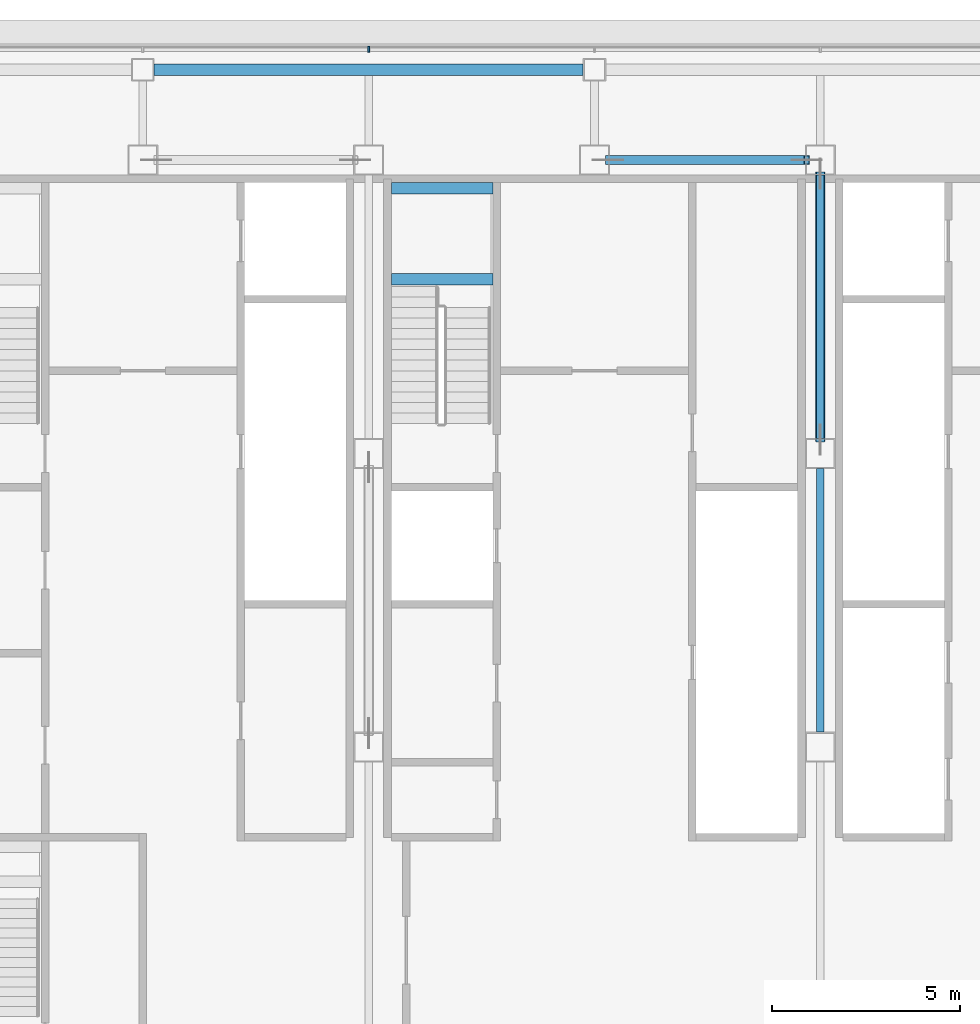
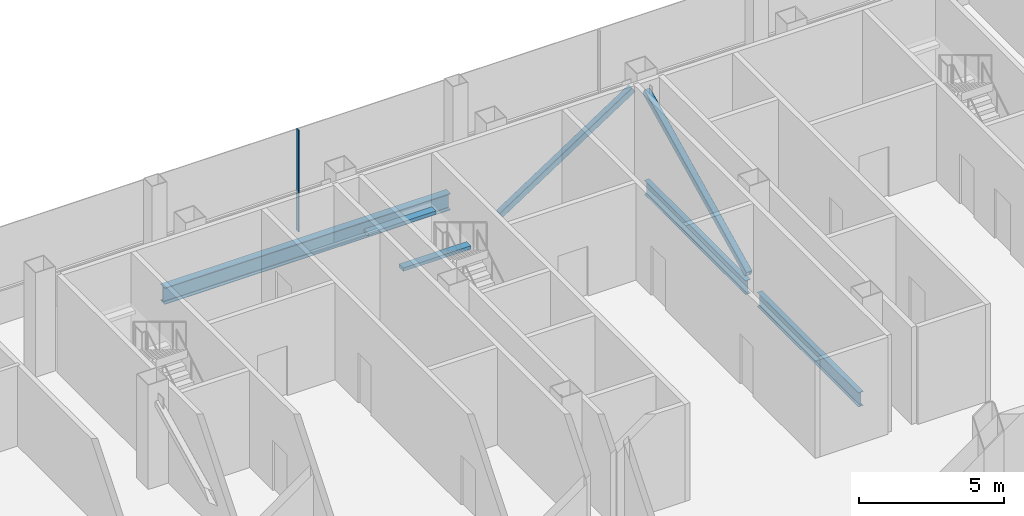
# One storey, part 14 of 29: 5 beams, 3 members, 1 element without a shape of its own.
"""IFC4 building model written with IfcOpenShell, lengths in metres."""

import ifcopenshell
import ifcopenshell.guid

model = None  # the IFC model being written
_history = None  # IfcOwnerHistory: only IFC2X3 demands one
_inside = {}  # id of a spatial element -> (the spatial element, [elements in it])
_under = {}  # id of a project, library or spatial element -> (it, [spatial elements below it])
_declared = {}  # id of a project -> (the project, [libraries it declares])
_typed = {}  # id of a type object -> (the type object, [elements of that type])
_made_of = {}  # id of a material, layer set ... -> (it, [elements and type objects made of it])


def new_model(schema):
    """Start an empty IFC model of exactly this schema.

    Asked for "IFC4X3", IfcOpenShell would pick the latest addendum, in which some entities
    have other attributes; the version numbers below select the first issue.
    IFC2X3 requires an IfcOwnerHistory on every rooted entity: one is made here for all.
    """
    global model, _history
    if schema == "IFC4X3":
        model = ifcopenshell.file(schema_version=(4, 3, 0, 0))
    else:
        model = ifcopenshell.file(schema=schema)
    _inside.clear()
    _under.clear()
    _declared.clear()
    _typed.clear()
    _made_of.clear()
    _history = None
    if model.schema == "IFC2X3":
        org = make("IfcOrganization", Name="unknown")
        user = make(
            "IfcPersonAndOrganization",
            ThePerson=make("IfcPerson", FamilyName="unknown"),
            TheOrganization=org,
        )
        app = make(
            "IfcApplication",
            ApplicationDeveloper=org,
            Version="unknown",
            ApplicationFullName="unknown",
            ApplicationIdentifier="unknown",
        )
        _history = make(
            "IfcOwnerHistory",
            OwningUser=user,
            OwningApplication=app,
            ChangeAction="ADDED",
            CreationDate=0,
        )
    return model


def make(cls, **values):
    """One entity of the class cls with the attributes given. An attribute that is None is left unset."""
    return model.create_entity(
        cls, **{name: value for name, value in values.items() if value is not None}
    )


def rooted(cls, **values):
    """An entity with a GlobalId (a new one), such as an element, a storey or a relation."""
    return make(cls, GlobalId=ifcopenshell.guid.new(), OwnerHistory=_history, **values)


def si_unit(unit_type, name, prefix=None):
    """IfcSIUnit, for example si_unit("LENGTHUNIT", "METRE", prefix="MILLI")."""
    return make("IfcSIUnit", UnitType=unit_type, Prefix=prefix, Name=name)


def assignment(units):
    """IfcUnitAssignment: the units of a project."""
    return None if units is None else make("IfcUnitAssignment", Units=units)


def point(xyz):
    """IfcCartesianPoint."""
    return None if xyz is None else make("IfcCartesianPoint", Coordinates=xyz)


def direction(xyz):
    """IfcDirection."""
    return None if xyz is None else make("IfcDirection", DirectionRatios=xyz)


def frame(location, z_axis=None, x_axis=None):
    """IfcAxis2Placement3D, a coordinate frame: its origin and axes. An axis left out is left unset."""
    return make(
        "IfcAxis2Placement3D",
        Location=point(location),
        Axis=direction(z_axis),
        RefDirection=direction(x_axis),
    )


def frame_2d(location, x_axis=None):
    """IfcAxis2Placement2D, a coordinate frame in the plane: its origin and x axis."""
    return make(
        "IfcAxis2Placement2D", Location=point(location), RefDirection=direction(x_axis)
    )


def origin():
    """The frame at (0, 0, 0) with its axes left unset."""
    return frame((0.0, 0.0, 0.0))


def origin_2d():
    """The frame at (0, 0) in the plane with its x axis left unset."""
    return frame_2d((0.0, 0.0))


def place(relative_to, where):
    """IfcLocalPlacement: puts the frame where relative to a parent placement (None: the world)."""
    return make(
        "IfcLocalPlacement", PlacementRelTo=relative_to, RelativePlacement=where
    )


def context(
    kind, dimensions, precision=None, world=None, true_north=None, identifier=None
):
    """IfcGeometricRepresentationContext, for example the 3D "Model" context."""
    return make(
        "IfcGeometricRepresentationContext",
        ContextIdentifier=identifier,
        ContextType=kind,
        CoordinateSpaceDimension=dimensions,
        Precision=precision,
        WorldCoordinateSystem=world,
        TrueNorth=true_north,
    )


def subcontext(parent, identifier, kind, view, scale=None):
    """IfcGeometricRepresentationSubContext, for example "Body" below "Model"."""
    return make(
        "IfcGeometricRepresentationSubContext",
        ContextIdentifier=identifier,
        ContextType=kind,
        ParentContext=parent,
        TargetScale=scale,
        TargetView=view,
    )


def project(units=None, contexts=None):
    """IfcProject with its units and contexts."""
    return rooted(
        "IfcProject",
        Name="project",
        RepresentationContexts=contexts,
        UnitsInContext=assignment(units),
    )


def spatial(cls, under=None, at=None, **own):
    """A site, building, storey or space (cls), placed at a placement, below another one or the project."""
    s = rooted(cls, ObjectPlacement=at, **own)
    if under is not None:
        _under.setdefault(under.id(), (under, []))[1].append(s)
    return s


def profile(cls, at=None, kind="AREA", **sizes):
    """A parametric profile (cls). Its sizes go by their IFC names, for example OverallWidth=200.0."""
    return make(cls, ProfileType=kind, Position=at, **sizes)


def rectangle(**sizes):
    """IfcRectangleProfileDef."""
    return profile("IfcRectangleProfileDef", **sizes)


def hollow_rectangle(**sizes):
    """IfcRectangleHollowProfileDef."""
    return profile("IfcRectangleHollowProfileDef", **sizes)


def i_section(**sizes):
    """IfcIShapeProfileDef."""
    return profile("IfcIShapeProfileDef", **sizes)


def extrude(swept, where, along, depth):
    """IfcExtrudedAreaSolid: the profile swept, set in the frame where, extruded along a direction by depth."""
    return make(
        "IfcExtrudedAreaSolid",
        SweptArea=swept,
        Position=where,
        ExtrudedDirection=direction(along),
        Depth=depth,
    )


def shape(context_of_items, identifier, shape_type, items):
    """IfcShapeRepresentation: the items that make up one representation, for example the "Body"."""
    return make(
        "IfcShapeRepresentation",
        ContextOfItems=context_of_items,
        RepresentationIdentifier=identifier,
        RepresentationType=shape_type,
        Items=items,
    )


def material(Name=None, Category=None):
    """IfcMaterial."""
    return make("IfcMaterial", Name=Name, Category=Category)


def material_profile(
    of_material, cross_section, Name=None, Category=None, Priority=None
):
    """IfcMaterialProfile: a cross section and its material."""
    return make(
        "IfcMaterialProfile",
        Name=Name,
        Material=of_material,
        Profile=cross_section,
        Priority=Priority,
        Category=Category,
    )


def profile_set(profiles, Name=None, composite=None):
    """IfcMaterialProfileSet."""
    return make(
        "IfcMaterialProfileSet",
        Name=Name,
        MaterialProfiles=profiles,
        CompositeProfile=composite,
    )


def made_of(thing, what):
    """Note that an element or type object is made of a material, layer set ...; save() writes the relation."""
    if what is not None:
        _made_of.setdefault(what.id(), (what, []))[1].append(thing)
    return thing


def type_object(cls, material=None, **own):
    """A type object (cls), such as IfcWallType, which elements share."""
    return made_of(rooted(cls, **own), material)


def element(
    cls,
    number,
    at=None,
    inside=None,
    cuts=None,
    type_object=None,
    material=None,
    context=None,
    identifier="Body",
    shape_type=None,
    held_by="IfcProductDefinitionShape",
    body=None,
    shapes=None,
    **own,
):
    """One element of the class cls, such as IfcWall. Its Tag is "e" and its number.

    at: its placement. inside: the storey or other place that contains it. cuts: it is an
    opening in that element (IfcRelVoidsElement). A single representation is given by context,
    identifier, shape_type and body (its items); several are given by shapes. held_by: the class
    of the entity that holds the representations. save() writes the other relations.
    """
    e = rooted(cls, Tag="e%d" % number, ObjectPlacement=at, **own)
    if body is not None:
        shapes = [shape(context, identifier, shape_type, body)]
    if shapes is not None:
        e.Representation = make(held_by, Representations=shapes)
    if inside is not None:
        _inside.setdefault(inside.id(), (inside, []))[1].append(e)
    if cuts is not None:
        rooted(
            "IfcRelVoidsElement", RelatingBuildingElement=cuts, RelatedOpeningElement=e
        )
    if type_object is not None:
        _typed.setdefault(type_object.id(), (type_object, []))[1].append(e)
    return made_of(e, material)


def aggregate(whole, parts):
    """IfcRelAggregates: a whole, such as a stair, and the parts it consists of."""
    return rooted("IfcRelAggregates", RelatingObject=whole, RelatedObjects=parts)


def save(model, path):
    """Write the relations noted so far, then the file.

    IfcRelAggregates (storeys below a building ...), IfcRelContainedInSpatialStructure (elements
    in a storey), IfcRelDefinesByType, IfcRelAssociatesMaterial and IfcRelDeclares: one each for
    every whole, place, type object, material and project.
    """
    for whole, parts in _under.values():
        aggregate(whole, parts)
    for where, things in _inside.values():
        rooted(
            "IfcRelContainedInSpatialStructure",
            RelatedElements=things,
            RelatingStructure=where,
        )
    for kind, things in _typed.values():
        rooted("IfcRelDefinesByType", RelatedObjects=things, RelatingType=kind)
    for what, things in _made_of.values():
        rooted("IfcRelAssociatesMaterial", RelatedObjects=things, RelatingMaterial=what)
    for by, libraries in _declared.values():
        rooted("IfcRelDeclares", RelatingContext=by, RelatedDefinitions=libraries)
    model.write(path)


model = new_model("IFC4")

# Units and contexts
model_context = context("Model", 3, precision=1e-05, world=origin(), true_north=direction((0.0, 1.0)))
body_context = subcontext(model_context, "Body", "Model", "MODEL_VIEW")
ifc_project = project(units=[si_unit("LENGTHUNIT", "METRE"), si_unit("AREAUNIT", "SQUARE_METRE"), si_unit("VOLUMEUNIT", "CUBIC_METRE"), si_unit("PLANEANGLEUNIT", "RADIAN"), si_unit("MASSUNIT", "GRAM", prefix="KILO")], contexts=[model_context])

# Site, building, storey
site_placement = place(None, origin())
site = spatial("IfcSite", under=ifc_project, at=site_placement, CompositionType="ELEMENT")
building_placement = place(site_placement, origin())
building = spatial("IfcBuilding", under=site, at=building_placement, Name="Sorahane Residences", CompositionType="ELEMENT")
storey_placement = place(building_placement, frame((0.0, 0.0, 277.39990234375)))
storey = spatial("IfcBuildingStorey", under=building, at=storey_placement, Name="L66", CompositionType="ELEMENT", Elevation=277.39990234375)

# Members
ifc_material_1 = material(Name="Steel Q355B", Category="steel")
ifc_material_profile_1 = material_profile(ifc_material_1, hollow_rectangle(XDim=0.25, YDim=0.25, WallThickness=0.013916015625, InnerFilletRadius=0.007080078125, OuterFilletRadius=0.02099609375, at=origin_2d()), Name="RHS 250x250x14")
ifc_profile_set_1 = profile_set([ifc_material_profile_1], Name="Steel Q355B")
member_type_1 = type_object("IfcMemberType", Name="Core brace RHS 250x250x14 Q355B", PredefinedType="BRACE", material=ifc_profile_set_1)
member_1_placement = place(storey_placement, frame((24.35888671875, 45.60009765625, 0.09814453125), z_axis=(0.836962799145, 0.0, 0.54725978552), x_axis=(0.0, 1.0, 0.0)))
element("IfcMember", 1, at=member_1_placement, inside=storey, type_object=member_type_1, Name="Core brace L66 y45.6-4", PredefinedType="BRACE", context=body_context, shape_type="SweptSolid", body=[
    extrude(hollow_rectangle(XDim=0.25, YDim=0.25, WallThickness=0.013916015625, InnerFilletRadius=0.007080078125, OuterFilletRadius=0.02099609375, at=origin_2d()), origin(), (0.0, 0.0, 1.0), 6.311279296875),
])
member_2_placement = place(storey_placement, frame((30.0, 38.167236328125, 0.109130859375), z_axis=(0.0, 0.899502923491, 0.436914740688), x_axis=(-1.0, 0.0, 0.0)))
element("IfcMember", 2, at=member_2_placement, inside=storey, type_object=member_type_1, Name="Core brace L66 x30-2", PredefinedType="BRACE", context=body_context, shape_type="SweptSolid", body=[
    extrude(hollow_rectangle(XDim=0.25, YDim=0.25, WallThickness=0.013916015625, InnerFilletRadius=0.007080078125, OuterFilletRadius=0.02099609375, at=origin_2d()), origin(), (0.0, 0.0, 1.0), 7.854736328125),
])

# Curtain wall, member
ifc_material_2 = material(Name="Dark low-e glass and black anodised aluminium", Category="aluminium")
curtain_wall_type = type_object("IfcCurtainWallType", Name="Curtain wall CW-1 Typical unitised wall", PredefinedType="NOTDEFINED", material=ifc_material_2)
curtain_wall_placement = place(storey_placement, origin())
curtain_wall = element("IfcCurtainWall", 3, at=curtain_wall_placement, inside=storey, type_object=curtain_wall_type, Name="CW-1 curtain wall L66 N1", PredefinedType="NOTDEFINED")
ifc_material_3 = material(Name="Black anodised aluminium", Category="aluminium")
ifc_material_profile_2 = material_profile(ifc_material_3, rectangle(XDim=0.159912109375, YDim=0.050048828125, at=origin_2d()), Name="Curtain wall mullion CW-1 black anodised aluminium 50x160")
ifc_profile_set_2 = profile_set([ifc_material_profile_2], Name="Black anodised aluminium")
member_type_2 = type_object("IfcMemberType", Name="Curtain wall mullion CW-1 black anodised aluminium 50x160", PredefinedType="MULLION", material=ifc_profile_set_2)
member_3_placement = place(storey_placement, frame((18.0, 48.5400390625, -0.179931640625), z_axis=(0.0, 0.0, 1.0), x_axis=(0.0, 1.0, 0.0)))
member_3 = element("IfcMember", 4, at=member_3_placement, type_object=member_type_2, Name="CW-1 mullion L66 N1.6", PredefinedType="MULLION", context=body_context, shape_type="SweptSolid", body=[
    extrude(rectangle(XDim=0.159912109375, YDim=0.050048828125, at=origin_2d()), origin(), (0.0, 0.0, 1.0), 4.280029296875),
])
aggregate(curtain_wall, [member_3])

# Beams
ifc_material_4 = material(Name="Concrete C40", Category="concrete")
ifc_material_profile_3 = material_profile(ifc_material_4, rectangle(XDim=0.300048828125, YDim=0.139892578125, at=origin_2d()), Name="300x140")
ifc_profile_set_3 = profile_set([ifc_material_profile_3], Name="Concrete C40")
beam_type_1 = type_object("IfcBeamType", Name="RC landing beam 300 x 140 Concrete C40", PredefinedType="BEAM", material=ifc_profile_set_3)
for number, where, z_axis, x_axis, name in (
    (5, (18.60009765625, 42.429931640625, 1.760986328125), (1.0, 0.0, 0.0), (0.0, 1.0, 0.0), "Landing beam"),
    (6, (18.60009765625, 44.85009765625, 1.760986328125), (1.0, 0.0, 0.0), (0.0, 1.0, 0.0), "Landing beam"),
):
    element("IfcBeam", number, at=place(storey_placement, frame(where, z_axis=z_axis, x_axis=x_axis)), inside=storey, type_object=beam_type_1, Name=name, PredefinedType="BEAM", context=body_context, shape_type="SweptSolid", body=[
        extrude(rectangle(XDim=0.300048828125, YDim=0.139892578125, at=origin_2d()), origin(), (0.0, 0.0, 1.0), 2.699951171875),
    ])
ifc_material_5 = material(Name="Steel Q355B", Category="steel")
ifc_material_profile_4 = material_profile(ifc_material_5, i_section(OverallWidth=0.199951171875, OverallDepth=0.60009765625, WebThickness=0.010986328125, FlangeThickness=0.01708984375, FilletRadius=0.02392578125, at=origin_2d()), Name="HN 600x200x11x17")
ifc_profile_set_4 = profile_set([ifc_material_profile_4], Name="Steel Q355B")
beam_type_2 = type_object("IfcBeamType", Name="Steel floor beam HN 600x200x11x17 Q355B", PredefinedType="BEAM", material=ifc_profile_set_4)
for number, where, z_axis, x_axis, name in (
    (7, (30.0, 30.39990234375, -0.47998046875), (0.0, 1.0, 0.0), (-1.0, 0.0, 0.0), "Beam L66 047"),
    (8, (30.0, 38.199951171875, -0.47998046875), (0.0, 1.0, 0.0), (-1.0, 0.0, 0.0), "Beam L66 048"),
):
    element("IfcBeam", number, at=place(storey_placement, frame(where, z_axis=z_axis, x_axis=x_axis)), inside=storey, type_object=beam_type_2, Name=name, PredefinedType="BEAM", context=body_context, shape_type="SweptSolid", body=[
        extrude(i_section(OverallWidth=0.199951171875, OverallDepth=0.60009765625, WebThickness=0.010986328125, FlangeThickness=0.01708984375, FilletRadius=0.02392578125, at=origin_2d()), origin(), (0.0, 0.0, 1.0), 7.0),
    ])
ifc_material_6 = material(Name="Steel Q355B", Category="steel")
ifc_material_profile_5 = material_profile(ifc_material_6, i_section(OverallWidth=0.300048828125, OverallDepth=0.699951171875, WebThickness=0.012939453125, FlangeThickness=0.02392578125, FilletRadius=0.028076171875, at=origin_2d()), Name="HN 700x300x13x24")
ifc_profile_set_5 = profile_set([ifc_material_profile_5], Name="Steel Q355B")
beam_type_3 = type_object("IfcBeamType", Name="Steel floor beam HN 700x300x13x24 Q355B", PredefinedType="BEAM", material=ifc_profile_set_5)
beam_placement = place(storey_placement, frame((12.300048828125, 48.0, -0.52978515625), z_axis=(1.0, 0.0, 0.0), x_axis=(0.0, 1.0, 0.0)))
element("IfcBeam", 9, at=beam_placement, inside=storey, type_object=beam_type_3, Name="Beam L66 017", PredefinedType="BEAM", context=body_context, shape_type="SweptSolid", body=[
    extrude(i_section(OverallWidth=0.300048828125, OverallDepth=0.699951171875, WebThickness=0.012939453125, FlangeThickness=0.02392578125, FilletRadius=0.028076171875, at=origin_2d()), origin(), (0.0, 0.0, 1.0), 11.39990234375),
])

save(model, "model.ifc")
